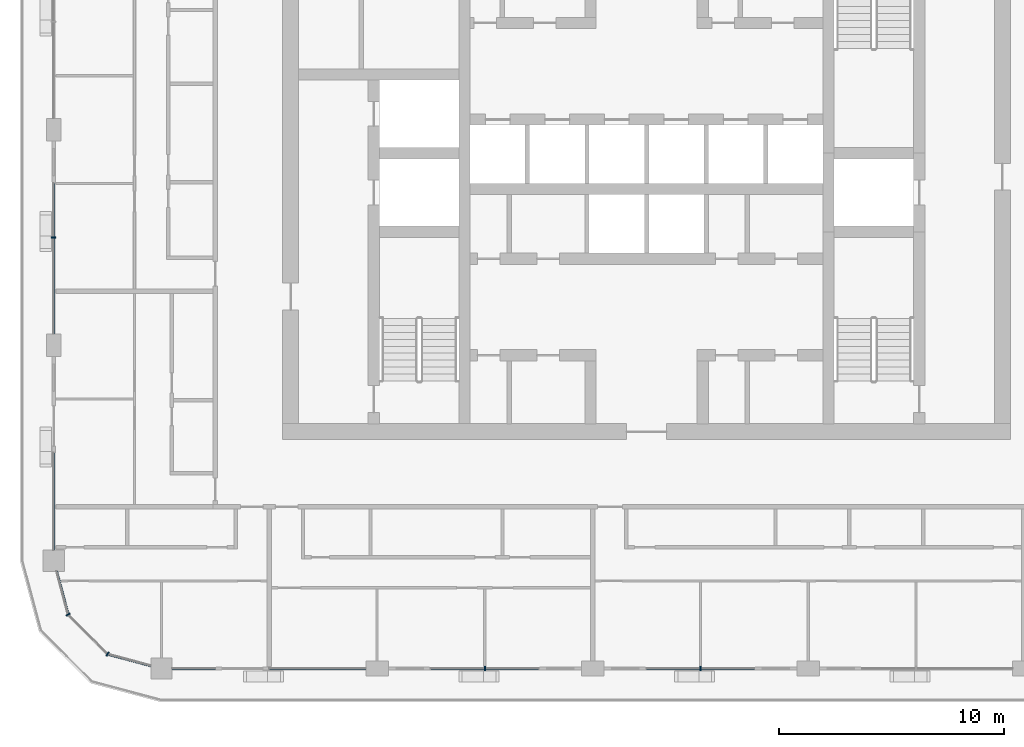
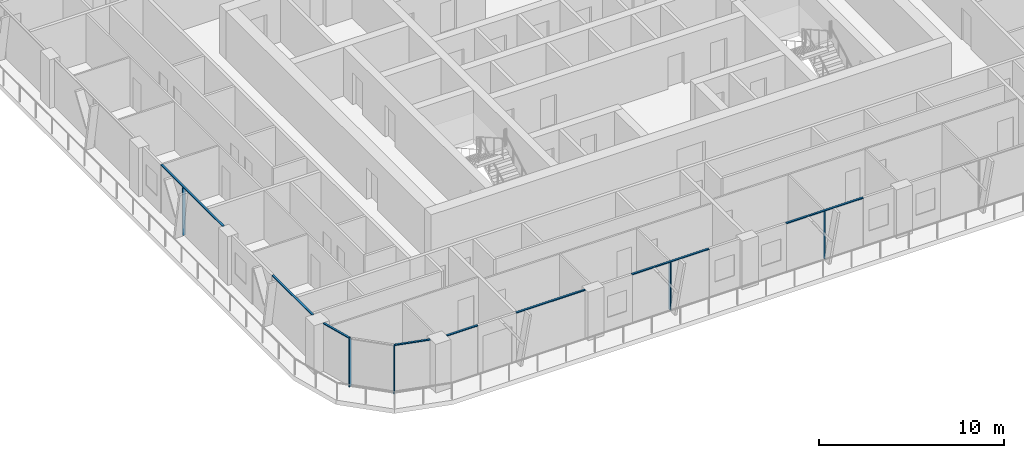
# One storey, part 2 of 23: 13 members, 6 elements without a shape of their own.
"""IFC4 building model written with IfcOpenShell, lengths in metres."""

from ifc_helpers import new_model, si_unit, direction, frame, origin, origin_2d, place, context, subcontext, project, spatial, rectangle, extrude, material, layer, layer_set, material_profile, profile_set, type_object, element, aggregate, save


model = new_model("IFC4")

# Units and contexts
model_context = context("Model", 3, precision=1e-05, world=origin(), true_north=direction((0.0, 1.0)))
body_context = subcontext(model_context, "Body", "Model", "MODEL_VIEW")
ifc_project = project(units=[si_unit("LENGTHUNIT", "METRE"), si_unit("AREAUNIT", "SQUARE_METRE"), si_unit("VOLUMEUNIT", "CUBIC_METRE"), si_unit("PLANEANGLEUNIT", "RADIAN"), si_unit("MASSUNIT", "GRAM", prefix="KILO")], contexts=[model_context])

# Site, building, storey
site_placement = place(None, origin())
site = spatial("IfcSite", under=ifc_project, at=site_placement, CompositionType="ELEMENT")
building_placement = place(site_placement, origin())
building = spatial("IfcBuilding", under=site, at=building_placement, Name="Madar Terraces", CompositionType="ELEMENT")
storey_placement = place(building_placement, frame((0.0, 0.0, 222.800048828125)))
storey = spatial("IfcBuildingStorey", under=building, at=storey_placement, Name="L58", CompositionType="ELEMENT", Elevation=222.800048828125)

# Curtain wall, member
ifc_material_1 = material(Name="Glass, ceramic frit dark grey, with black aluminium frame", Category="aluminium")
ifc_layer = layer(ifc_material_1, 0.199951171875)
ifc_layer_set = layer_set([ifc_layer], Name="Facade curtain wall, fritted glass")
curtain_wall_type = type_object("IfcCurtainWallType", Name="Facade curtain wall, fritted glass", PredefinedType="NOTDEFINED", material=ifc_layer_set)
curtain_wall_1_placement = place(storey_placement, origin())
curtain_wall_1 = element("IfcCurtainWall", 1, at=curtain_wall_1_placement, inside=storey, type_object=curtain_wall_type, Name="Outer skin curtain wall south bay 2", PredefinedType="NOTDEFINED")
ifc_material_2 = material(Name="Aluminium, black anodised", Category="aluminium")
ifc_material_profile_1 = material_profile(ifc_material_2, rectangle(XDim=0.199951171875, YDim=0.06005859375, at=origin_2d()), Name="Facade mullion 60x200")
ifc_profile_set_1 = profile_set([ifc_material_profile_1], Name="Aluminium, black anodised")
member_type_1 = type_object("IfcMemberType", Name="Facade mullion 60x200", PredefinedType="MULLION", material=ifc_profile_set_1)
member_1_placement = place(storey_placement, frame((24.0, 4.800048828125, 0.0), z_axis=(0.0, 0.0, 1.0), x_axis=(0.0, 1.0, 0.0)))
member_1 = element("IfcMember", 2, at=member_1_placement, type_object=member_type_1, Name="Mullion 1", PredefinedType="MULLION", context=body_context, shape_type="SweptSolid", body=[
    extrude(rectangle(XDim=0.199951171875, YDim=0.06005859375, at=origin_2d()), origin(), (0.0, 0.0, 1.0), 3.139892578125),
])

curtain_wall_2_placement = place(storey_placement, origin())
curtain_wall_2 = element("IfcCurtainWall", 3, at=curtain_wall_2_placement, inside=storey, type_object=curtain_wall_type, Name="Outer skin curtain wall south bay 3", PredefinedType="NOTDEFINED")
member_2_placement = place(storey_placement, frame((33.60009765625, 4.800048828125, 0.0), z_axis=(0.0, 0.0, 1.0), x_axis=(0.0, 1.0, 0.0)))
member_2 = element("IfcMember", 4, at=member_2_placement, type_object=member_type_1, Name="Mullion 1", PredefinedType="MULLION", context=body_context, shape_type="SweptSolid", body=[
    extrude(rectangle(XDim=0.199951171875, YDim=0.06005859375, at=origin_2d()), origin(), (0.0, 0.0, 1.0), 3.139892578125),
])

curtain_wall_3_placement = place(storey_placement, origin())
curtain_wall_3 = element("IfcCurtainWall", 5, at=curtain_wall_3_placement, inside=storey, type_object=curtain_wall_type, Name="Outer skin curtain wall west bay 3", PredefinedType="NOTDEFINED")
member_3_placement = place(storey_placement, frame((4.800048828125, 24.0, 0.0), z_axis=(0.0, 0.0, 1.0), x_axis=(1.0, 0.0, 0.0)))
member_3 = element("IfcMember", 6, at=member_3_placement, type_object=member_type_1, Name="Mullion 1", PredefinedType="MULLION", context=body_context, shape_type="SweptSolid", body=[
    extrude(rectangle(XDim=0.199951171875, YDim=0.06005859375, at=origin_2d()), origin(), (0.0, 0.0, 1.0), 3.139892578125),
])

# Curtain wall, members
curtain_wall_4_placement = place(storey_placement, origin())
curtain_wall_4 = element("IfcCurtainWall", 7, at=curtain_wall_4_placement, inside=storey, type_object=curtain_wall_type, Name="Outer skin curtain wall south-west corner", PredefinedType="NOTDEFINED")
member_4_placement = place(storey_placement, frame((5.443115234375, 7.199951171875, 0.0), z_axis=(0.0, 0.0, 1.0), x_axis=(0.866025409797, 0.499999989586, 0.0)))
member_4 = element("IfcMember", 8, at=member_4_placement, type_object=member_type_1, Name="Mullion 1", PredefinedType="MULLION", context=body_context, shape_type="SweptSolid", body=[
    extrude(rectangle(XDim=0.199951171875, YDim=0.06005859375, at=origin_2d()), origin(), (0.0, 0.0, 1.0), 3.139892578125),
])
member_5_placement = place(storey_placement, frame((7.199951171875, 5.443115234375, 0.0), z_axis=(0.0, 0.0, 1.0), x_axis=(0.499999989586, 0.866025409797, 0.0)))
member_5 = element("IfcMember", 9, at=member_5_placement, type_object=member_type_1, Name="Mullion 2", PredefinedType="MULLION", context=body_context, shape_type="SweptSolid", body=[
    extrude(rectangle(XDim=0.199951171875, YDim=0.06005859375, at=origin_2d()), origin(), (0.0, 0.0, 1.0), 3.139892578125),
])

curtain_wall_5_placement = place(storey_placement, origin())
curtain_wall_5 = element("IfcCurtainWall", 10, at=curtain_wall_5_placement, inside=storey, type_object=curtain_wall_type, Name="Outer skin curtain wall south bay 1", PredefinedType="NOTDEFINED")
ifc_material_3 = material(Name="Aluminium, black anodised", Category="aluminium")
ifc_material_profile_2 = material_profile(ifc_material_3, rectangle(XDim=0.1201171875, YDim=0.06005859375, at=origin_2d()), Name="Facade transom 60x120")
ifc_profile_set_2 = profile_set([ifc_material_profile_2], Name="Aluminium, black anodised")
member_type_2 = type_object("IfcMemberType", Name="Facade transom 60x120", PredefinedType="USERDEFINED", material=ifc_profile_set_2)
member_6_placement = place(storey_placement, frame((10.074951171875, 4.800048828125, 3.169921875), z_axis=(1.0, 0.0, 0.0), x_axis=(0.0, 1.0, 0.0)))
member_6 = element("IfcMember", 11, at=member_6_placement, type_object=member_type_2, Name="Transom 1", ObjectType="TRANSOM", PredefinedType="USERDEFINED", context=body_context, shape_type="SweptSolid", body=[
    extrude(rectangle(XDim=0.1201171875, YDim=0.06005859375, at=origin_2d()), origin(), (0.0, 0.0, 1.0), 1.925048828125),
])
member_7_placement = place(storey_placement, frame((14.39990234375, 4.800048828125, 3.169921875), z_axis=(1.0, 0.0, 0.0), x_axis=(0.0, 1.0, 0.0)))
member_7 = element("IfcMember", 12, at=member_7_placement, type_object=member_type_2, Name="Transom 2", ObjectType="TRANSOM", PredefinedType="USERDEFINED", context=body_context, shape_type="SweptSolid", body=[
    extrude(rectangle(XDim=0.1201171875, YDim=0.06005859375, at=origin_2d()), origin(), (0.0, 0.0, 1.0), 4.300048828125),
])
aggregate(curtain_wall_5, [member_6, member_7])

# Member
member_8_placement = place(storey_placement, frame((21.60009765625, 4.800048828125, 3.169921875), z_axis=(1.0, 0.0, 0.0), x_axis=(0.0, 1.0, 0.0)))
member_8 = element("IfcMember", 13, at=member_8_placement, type_object=member_type_2, Name="Transom 1", ObjectType="TRANSOM", PredefinedType="USERDEFINED", context=body_context, shape_type="SweptSolid", body=[
    extrude(rectangle(XDim=0.1201171875, YDim=0.06005859375, at=origin_2d()), origin(), (0.0, 0.0, 1.0), 4.7998046875),
])

aggregate(curtain_wall_1, [member_1, member_8])

member_9_placement = place(storey_placement, frame((31.199951171875, 4.800048828125, 3.169921875), z_axis=(1.0, 0.0, 0.0), x_axis=(0.0, 1.0, 0.0)))
member_9 = element("IfcMember", 14, at=member_9_placement, type_object=member_type_2, Name="Transom 1", ObjectType="TRANSOM", PredefinedType="USERDEFINED", context=body_context, shape_type="SweptSolid", body=[
    extrude(rectangle(XDim=0.1201171875, YDim=0.06005859375, at=origin_2d()), origin(), (0.0, 0.0, 1.0), 4.800048828125),
])

aggregate(curtain_wall_2, [member_2, member_9])

member_10_placement = place(storey_placement, frame((4.800048828125, 26.39990234375, 3.169921875), z_axis=(0.0, -1.0, 0.0), x_axis=(1.0, 0.0, 0.0)))
member_10 = element("IfcMember", 15, at=member_10_placement, type_object=member_type_2, Name="Transom 1", ObjectType="TRANSOM", PredefinedType="USERDEFINED", context=body_context, shape_type="SweptSolid", body=[
    extrude(rectangle(XDim=0.1201171875, YDim=0.06005859375, at=origin_2d()), origin(), (0.0, 0.0, 1.0), 6.699951171875),
])

aggregate(curtain_wall_3, [member_3, member_10])

# Curtain wall, member
curtain_wall_6_placement = place(storey_placement, origin())
curtain_wall_6 = element("IfcCurtainWall", 16, at=curtain_wall_6_placement, inside=storey, type_object=curtain_wall_type, Name="Outer skin curtain wall west bay 4", PredefinedType="NOTDEFINED")
member_11_placement = place(storey_placement, frame((4.800048828125, 14.39990234375, 3.169921875), z_axis=(0.0, -1.0, 0.0), x_axis=(1.0, 0.0, 0.0)))
member_11 = element("IfcMember", 17, at=member_11_placement, type_object=member_type_2, Name="Transom 1", ObjectType="TRANSOM", PredefinedType="USERDEFINED", context=body_context, shape_type="SweptSolid", body=[
    extrude(rectangle(XDim=0.1201171875, YDim=0.06005859375, at=origin_2d()), origin(), (0.0, 0.0, 1.0), 4.324951171875),
])
aggregate(curtain_wall_6, [member_11])

# Member
member_12_placement = place(storey_placement, frame((4.92724609375, 9.125, 3.169921875), z_axis=(0.258831412352, -0.96592251241, 0.0), x_axis=(0.96592251241, 0.258831412352, 0.0)))
member_12 = element("IfcMember", 18, at=member_12_placement, type_object=member_type_2, Name="Transom 1", ObjectType="TRANSOM", PredefinedType="USERDEFINED", context=body_context, shape_type="SweptSolid", body=[
    extrude(rectangle(XDim=0.1201171875, YDim=0.06005859375, at=origin_2d()), origin(), (0.0, 0.0, 1.0), 1.962890625),
])

member_13_placement = place(storey_placement, frame((7.22900390625, 5.435302734375, 3.169921875), z_axis=(0.96592251241, -0.258831412352, 0.0), x_axis=(0.258831412352, 0.96592251241, 0.0)))
member_13 = element("IfcMember", 19, at=member_13_placement, type_object=member_type_2, Name="Transom 3", ObjectType="TRANSOM", PredefinedType="USERDEFINED", context=body_context, shape_type="SweptSolid", body=[
    extrude(rectangle(XDim=0.1201171875, YDim=0.06005859375, at=origin_2d()), origin(), (0.0, 0.0, 1.0), 1.962890625),
])

aggregate(curtain_wall_4, [member_4, member_12, member_5, member_13])

save(model, "model.ifc")
